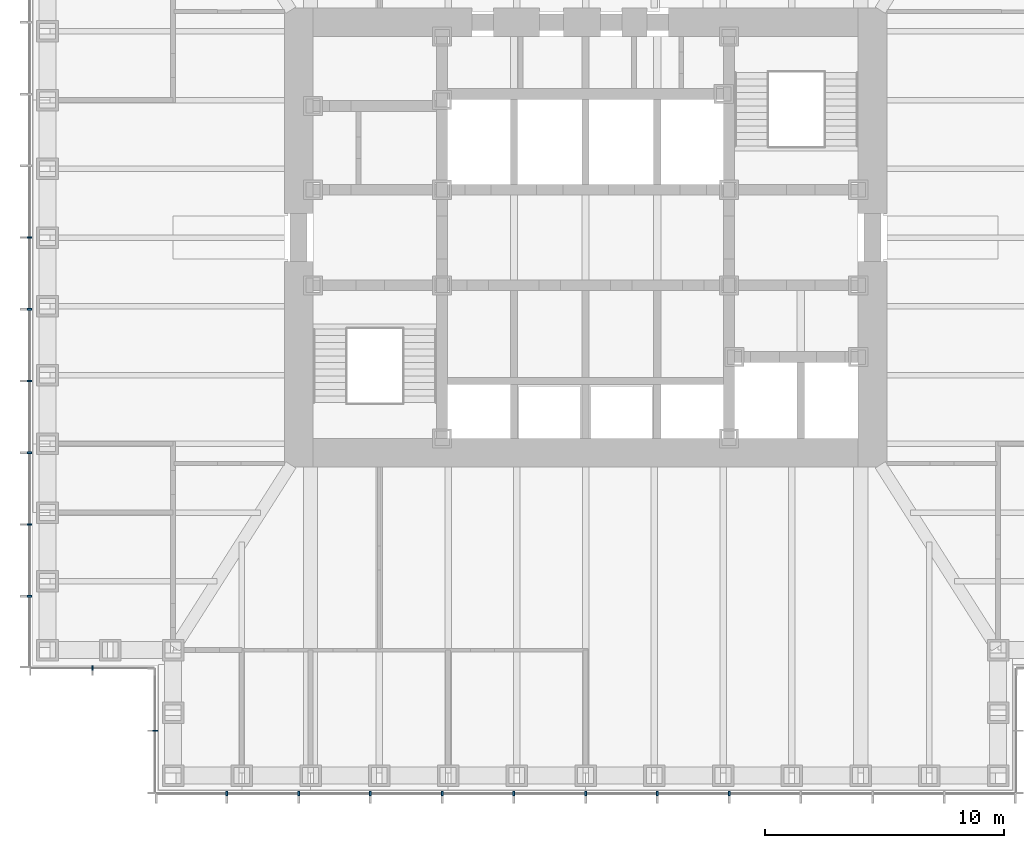
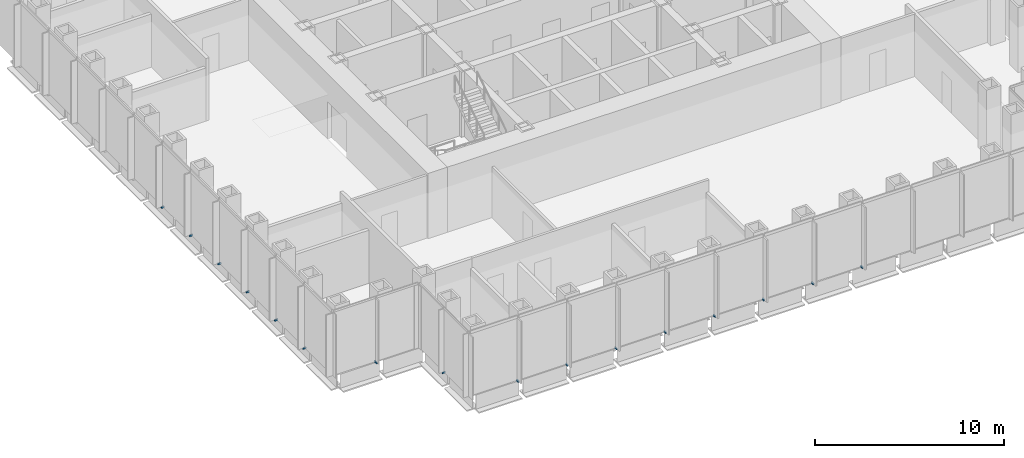
# One storey, part 12 of 17: 16 discrete accessories.
"""IFC4 building model written with IfcOpenShell, lengths in metres."""

from ifc_helpers import new_model, si_unit, direction, frame, origin, origin_2d, place, context, subcontext, project, spatial, rectangle, extrude, element, save


model = new_model("IFC4")

# Units and contexts
model_context = context("Model", 3, precision=1e-05, world=origin(), true_north=direction((0.0, 1.0)))
body_context = subcontext(model_context, "Body", "Model", "MODEL_VIEW")
ifc_project = project(units=[si_unit("LENGTHUNIT", "METRE"), si_unit("AREAUNIT", "SQUARE_METRE"), si_unit("VOLUMEUNIT", "CUBIC_METRE"), si_unit("PLANEANGLEUNIT", "RADIAN"), si_unit("MASSUNIT", "GRAM", prefix="KILO")], contexts=[model_context])

# Site, building, storey
site_placement = place(None, origin())
site = spatial("IfcSite", under=ifc_project, at=site_placement, CompositionType="ELEMENT")
building_placement = place(site_placement, origin())
building = spatial("IfcBuilding", under=site, at=building_placement, Name="Daluyong Arena Tower", CompositionType="ELEMENT")
storey_placement = place(building_placement, frame((0.0, 0.0, 158.5)))
storey = spatial("IfcBuildingStorey", under=building, at=storey_placement, Name="L35", CompositionType="ELEMENT", Elevation=158.5)

# Discrete accessories
for number, where, z_axis, x_axis, name in (
    (1, (41.0, 56.75, -0.10009765625), (0.0, 0.0, 1.0), (1.0, 0.0, 0.0), "curtain wall L35 S anchor bracket 2"),
    (2, (44.0, 56.75, -0.10009765625), (0.0, 0.0, 1.0), (1.0, 0.0, 0.0), "curtain wall L35 S anchor bracket 3"),
    (3, (47.0, 56.75, -0.10009765625), (0.0, 0.0, 1.0), (1.0, 0.0, 0.0), "curtain wall L35 S anchor bracket 4"),
    (4, (50.0, 56.75, -0.10009765625), (0.0, 0.0, 1.0), (1.0, 0.0, 0.0), "curtain wall L35 S anchor bracket 5"),
    (5, (53.0, 56.75, -0.10009765625), (0.0, 0.0, 1.0), (1.0, 0.0, 0.0), "curtain wall L35 S anchor bracket 6"),
    (6, (56.0, 56.75, -0.10009765625), (0.0, 0.0, 1.0), (1.0, 0.0, 0.0), "curtain wall L35 S anchor bracket 7"),
    (7, (59.0, 56.75, -0.10009765625), (0.0, 0.0, 1.0), (1.0, 0.0, 0.0), "curtain wall L35 S anchor bracket 8"),
    (8, (62.0, 56.75, -0.10009765625), (0.0, 0.0, 1.0), (1.0, 0.0, 0.0), "curtain wall L35 S anchor bracket 9"),
    (9, (32.75, 80.0, -0.10009765625), (0.0, 0.0, 1.0), (0.0, -1.0, 0.0), "curtain wall L35 W anchor bracket 7"),
    (10, (32.75, 77.0, -0.10009765625), (0.0, 0.0, 1.0), (0.0, -1.0, 0.0), "curtain wall L35 W anchor bracket 8"),
    (11, (32.75, 74.0, -0.10009765625), (0.0, 0.0, 1.0), (0.0, -1.0, 0.0), "curtain wall L35 W anchor bracket 9"),
    (12, (32.75, 71.0, -0.10009765625), (0.0, 0.0, 1.0), (0.0, -1.0, 0.0), "curtain wall L35 W anchor bracket 10"),
    (13, (32.75, 68.0, -0.10009765625), (0.0, 0.0, 1.0), (0.0, -1.0, 0.0), "curtain wall L35 W anchor bracket 11"),
    (14, (32.75, 65.0, -0.10009765625), (0.0, 0.0, 1.0), (0.0, -1.0, 0.0), "curtain wall L35 W anchor bracket 12"),
):
    element("IfcDiscreteAccessory", number, at=place(storey_placement, frame(where, z_axis=z_axis, x_axis=x_axis)), inside=storey, Name=name, PredefinedType="BRACKET", context=body_context, shape_type="SweptSolid", body=[
        extrude(rectangle(XDim=0.080078125, YDim=0.199951171875, at=origin_2d()), origin(), (0.0, 0.0, 1.0), 0.10009765625),
    ])
for number, where, z_axis, x_axis, name in (
    (15, (35.375, 62.0, -0.10009765625), (0.0, 0.0, 1.0), (1.0, 0.0, 0.0), "curtain wall L35 SW-S anchor bracket 2"),
    (16, (38.0, 59.375, -0.10009765625), (0.0, 0.0, 1.0), (0.0, -1.0, 0.0), "curtain wall L35 SW-W anchor bracket 2"),
):
    element("IfcDiscreteAccessory", number, at=place(storey_placement, frame(where, z_axis=z_axis, x_axis=x_axis)), inside=storey, Name=name, PredefinedType="BRACKET", context=body_context, shape_type="SweptSolid", body=[
        extrude(rectangle(XDim=0.06005859375, YDim=0.199951171875, at=origin_2d()), origin(), (0.0, 0.0, 1.0), 0.10009765625),
    ])

save(model, "model.ifc")
